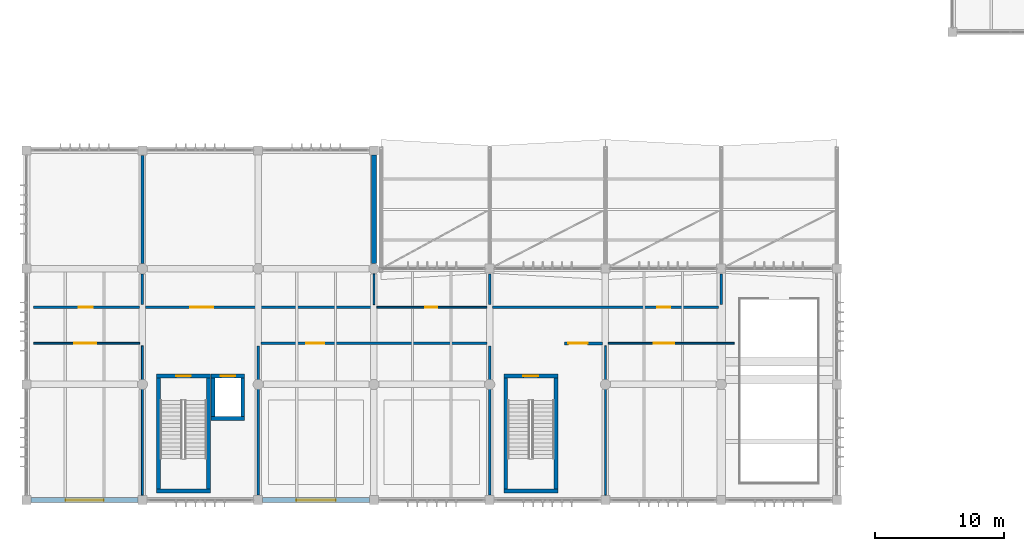
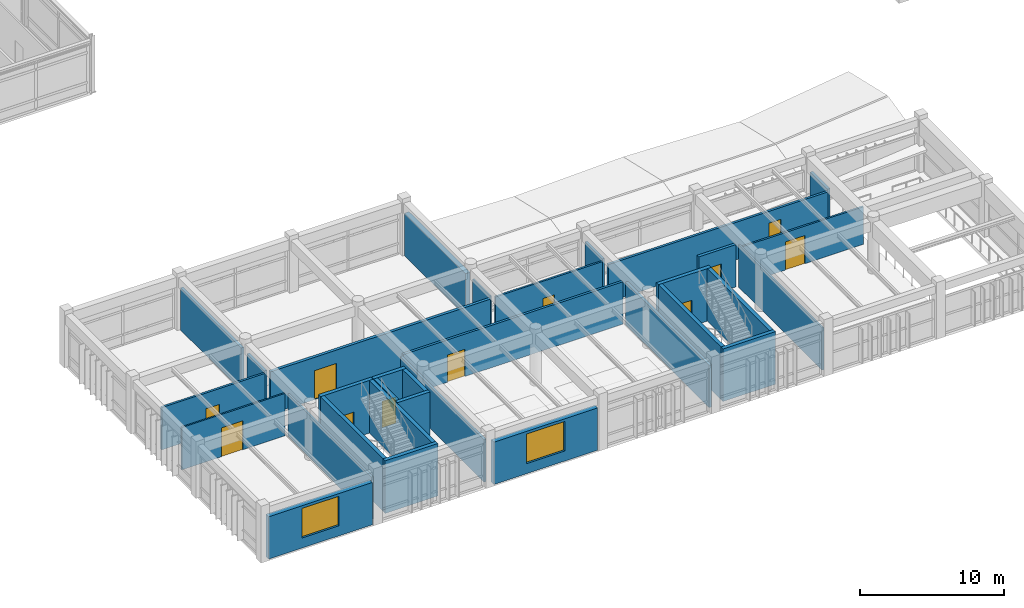
# One storey, part 70 of 90: 32 walls, 11 doors, 2 windows, 13 openings.
"""IFC4 building model written with IfcOpenShell, lengths in metres."""

from ifc_helpers import new_model, si_unit, direction, frame, frame_2d, origin, place, context, subcontext, project, spatial, rectangle, extrude, material, layer, layer_set, type_object, element, fill, save


model = new_model("IFC4")

# Units and contexts
model_context = context("Model", 3, precision=1e-05, world=origin(), true_north=direction((0.0, 1.0)))
body_context = subcontext(model_context, "Body", "Model", "MODEL_VIEW")
ifc_project = project(units=[si_unit("LENGTHUNIT", "METRE"), si_unit("AREAUNIT", "SQUARE_METRE"), si_unit("VOLUMEUNIT", "CUBIC_METRE"), si_unit("PLANEANGLEUNIT", "RADIAN"), si_unit("MASSUNIT", "GRAM", prefix="KILO")], contexts=[model_context])

# Site, building, storey
site_placement = place(None, origin())
site = spatial("IfcSite", under=ifc_project, at=site_placement, CompositionType="ELEMENT")
building_placement = place(site_placement, origin())
building = spatial("IfcBuilding", under=site, at=building_placement, Name="Bozkorgan Art Gallery", CompositionType="ELEMENT")
storey_placement = place(building_placement, frame((0.0, 0.0, 5.39990234375)))
storey = spatial("IfcBuildingStorey", under=building, at=storey_placement, Name="L01", CompositionType="ELEMENT", Elevation=5.39990234375)

# Wall, opening, door
ifc_material_1 = material(Name="Concrete C40/50", Category="concrete")
ifc_layer_1 = layer(ifc_material_1, 0.300048828125, Name="Concrete C40/50")
ifc_layer_set_1 = layer_set([ifc_layer_1], Name="Concrete C40/50")
wall_type_1 = type_object("IfcWallType", Name="IWALL-CW-44", PredefinedType="SHEAR", material=ifc_layer_set_1)
wall_1_placement = place(storey_placement, frame((12.10009765625, 11.64990234375, 0.0), z_axis=(0.0, 0.0, 1.0), x_axis=(1.0, 0.0, 0.0)))
wall_1 = element("IfcWall", 1, at=wall_1_placement, inside=storey, type_object=wall_type_1, Name="CORE1 L01 stair core north shear wall", PredefinedType="SHEAR", context=body_context, shape_type="SweptSolid", body=[
    extrude(rectangle(XDim=4.199951171875, YDim=0.300048828125, at=frame_2d((2.10009765625, 0.0))), origin(), (0.0, 0.0, 1.0), 4.440185546875),
])
opening_1_placement = place(wall_1_placement, frame((2.6748046875, 0.0, 0.0), z_axis=(0.0, 0.0, 1.0), x_axis=(-1.0, 0.0, 0.0)))
opening_1 = element("IfcOpeningElement", 2, at=opening_1_placement, cuts=wall_1, Name="Opening SD-41", PredefinedType="OPENING", context=body_context, shape_type="SweptSolid", body=[
    extrude(rectangle(XDim=1.14990234375, YDim=2.199951171875, at=frame_2d((0.574951171875, 1.10009765625))), frame((0.0, 0.16015625, 0.0), z_axis=(0.0, -1.0, 0.0), x_axis=(1.0, 0.0, 0.0)), (0.0, 0.0, 1.0), 0.320068359375),
])
ifc_material_2 = material(Name="Steel S355J2", Category="steel")
door_type_1 = type_object("IfcDoorType", Name="IDOOR-SD-41", OperationType="NOTDEFINED", PredefinedType="DOOR", material=ifc_material_2)
door_1_placement = place(opening_1_placement, origin())
door_1 = element("IfcDoor", 3, at=door_1_placement, inside=storey, type_object=door_type_1, Name="ST1 L01 Fire Stair Door", OperationType="SINGLE_SWING_RIGHT", OverallHeight=2.199951171875, OverallWidth=1.14990234375, PredefinedType="DOOR", context=body_context, shape_type="SweptSolid", body=[
    extrude(rectangle(XDim=1.14990234375, YDim=2.199951171875, at=frame_2d((0.574951171875, 1.10009765625))), frame((0.0, 0.02490234375, 0.0), z_axis=(0.0, -1.0, 0.0), x_axis=(1.0, 0.0, 0.0)), (0.0, 0.0, 1.0), 0.050048828125),
])
fill(opening_1, door_1)

# Walls
wall_2_placement = place(storey_placement, frame((12.10009765625, 2.699951171875, 0.0), z_axis=(0.0, 0.0, 1.0), x_axis=(1.0, 0.0, 0.0)))
element("IfcWall", 4, at=wall_2_placement, inside=storey, type_object=wall_type_1, Name="CORE1 L01 stair core S shear wall", PredefinedType="SHEAR", context=body_context, shape_type="SweptSolid", body=[
    extrude(rectangle(XDim=4.199951171875, YDim=0.300048828125, at=frame_2d((2.10009765625, 0.0))), origin(), (0.0, 0.0, 1.0), 4.440185546875),
])
for number, where, z_axis, x_axis, name in (
    (5, (12.25, 2.85009765625, 0.0), (0.0, 0.0, 1.0), (0.0, 1.0, 0.0), "CORE1 L01 stair core W shear wall"),
    (6, (16.14990234375, 2.85009765625, 0.0), (0.0, 0.0, 1.0), (0.0, 1.0, 0.0), "CORE1 L01 stair core E shear wall"),
):
    element("IfcWall", number, at=place(storey_placement, frame(where, z_axis=z_axis, x_axis=x_axis)), inside=storey, type_object=wall_type_1, Name=name, PredefinedType="SHEAR", context=body_context, shape_type="SweptSolid", body=[
        extrude(rectangle(XDim=8.64990234375, YDim=0.300048828125, at=frame_2d((4.324951171875, 0.0))), origin(), (0.0, 0.0, 1.0), 4.440185546875),
    ])

# Wall, opening, door
wall_3_placement = place(storey_placement, frame((16.35009765625, 11.64990234375, 0.0), z_axis=(0.0, 0.0, 1.0), x_axis=(1.0, 0.0, 0.0)))
wall_3 = element("IfcWall", 7, at=wall_3_placement, inside=storey, type_object=wall_type_1, Name="PL1 L01 shaft front shear wall", PredefinedType="SHEAR", context=body_context, shape_type="SweptSolid", body=[
    extrude(rectangle(XDim=2.599853515625, YDim=0.300048828125, at=frame_2d((1.2998046875, 0.0))), origin(), (0.0, 0.0, 1.0), 4.440185546875),
])
opening_2_placement = place(wall_3_placement, frame((0.75, 0.0, 0.0)))
opening_2 = element("IfcOpeningElement", 8, at=opening_2_placement, cuts=wall_3, Name="Opening LD-25", PredefinedType="OPENING", context=body_context, shape_type="SweptSolid", body=[
    extrude(rectangle(XDim=1.10009765625, YDim=2.199951171875, at=frame_2d((0.550048828125, 1.10009765625))), frame((0.0, 0.16015625, 0.0), z_axis=(0.0, -1.0, 0.0), x_axis=(1.0, 0.0, 0.0)), (0.0, 0.0, 1.0), 0.320068359375),
])
door_type_2 = type_object("IfcDoorType", Name="IDOOR-LD-25", OperationType="NOTDEFINED", PredefinedType="DOOR", material=ifc_material_2)
door_2_placement = place(opening_2_placement, origin())
door_2 = element("IfcDoor", 9, at=door_2_placement, inside=storey, type_object=door_type_2, Name="LD-PL1-L01 Lift Landing Door", OperationType="SLIDING_TO_LEFT", OverallHeight=2.199951171875, OverallWidth=1.10009765625, PredefinedType="DOOR", context=body_context, shape_type="SweptSolid", body=[
    extrude(rectangle(XDim=1.10009765625, YDim=2.199951171875, at=frame_2d((0.550048828125, 1.10009765625))), frame((0.0, 0.02490234375, 0.0), z_axis=(0.0, -1.0, 0.0), x_axis=(1.0, 0.0, 0.0)), (0.0, 0.0, 1.0), 0.050048828125),
])
fill(opening_2, door_2)

# Walls
wall_4_placement = place(storey_placement, frame((16.35009765625, 8.35009765625, 0.0), z_axis=(0.0, 0.0, 1.0), x_axis=(1.0, 0.0, 0.0)))
element("IfcWall", 10, at=wall_4_placement, inside=storey, type_object=wall_type_1, Name="PL1 L01 shaft S shear wall", PredefinedType="SHEAR", context=body_context, shape_type="SweptSolid", body=[
    extrude(rectangle(XDim=2.599853515625, YDim=0.300048828125, at=frame_2d((1.2998046875, 0.0))), origin(), (0.0, 0.0, 1.0), 4.440185546875),
])
for number, where, z_axis, x_axis, name in (
    (11, (18.800048828125, 8.5, 0.0), (0.0, 0.0, 1.0), (0.0, 1.0, 0.0), "PL1 L01 shaft E shear wall"),
    (12, (16.5, 8.5, 0.0), (0.0, 0.0, 1.0), (0.0, 1.0, 0.0), "PL1 L01 shaft W shear wall"),
):
    element("IfcWall", number, at=place(storey_placement, frame(where, z_axis=z_axis, x_axis=x_axis)), inside=storey, type_object=wall_type_1, Name=name, PredefinedType="SHEAR", context=body_context, shape_type="SweptSolid", body=[
        extrude(rectangle(XDim=3.0, YDim=0.300048828125, at=frame_2d((1.5, 0.0))), origin(), (0.0, 0.0, 1.0), 4.440185546875),
    ])

# Wall, opening, door
wall_5_placement = place(storey_placement, frame((39.10009765625, 11.64990234375, 0.0), z_axis=(0.0, 0.0, 1.0), x_axis=(1.0, 0.0, 0.0)))
wall_5 = element("IfcWall", 13, at=wall_5_placement, inside=storey, type_object=wall_type_1, Name="CORE7 L01 stair core north shear wall", PredefinedType="SHEAR", context=body_context, shape_type="SweptSolid", body=[
    extrude(rectangle(XDim=4.199951171875, YDim=0.300048828125, at=frame_2d((2.10009765625, 0.0))), origin(), (0.0, 0.0, 1.0), 4.440185546875),
])
opening_3_placement = place(wall_5_placement, frame((2.6748046875, 0.0, 0.0), z_axis=(0.0, 0.0, 1.0), x_axis=(-1.0, 0.0, 0.0)))
opening_3 = element("IfcOpeningElement", 14, at=opening_3_placement, cuts=wall_5, Name="Opening SD-41", PredefinedType="OPENING", context=body_context, shape_type="SweptSolid", body=[
    extrude(rectangle(XDim=1.14990234375, YDim=2.199951171875, at=frame_2d((0.574951171875, 1.10009765625))), frame((0.0, 0.16015625, 0.0), z_axis=(0.0, -1.0, 0.0), x_axis=(1.0, 0.0, 0.0)), (0.0, 0.0, 1.0), 0.320068359375),
])
door_3_placement = place(opening_3_placement, origin())
door_3 = element("IfcDoor", 15, at=door_3_placement, inside=storey, type_object=door_type_1, Name="ST12 L01 Fire Stair Door", OperationType="SINGLE_SWING_RIGHT", OverallHeight=2.199951171875, OverallWidth=1.14990234375, PredefinedType="DOOR", context=body_context, shape_type="SweptSolid", body=[
    extrude(rectangle(XDim=1.14990234375, YDim=2.199951171875, at=frame_2d((0.574951171875, 1.10009765625))), frame((0.0, 0.02490234375, 0.0), z_axis=(0.0, -1.0, 0.0), x_axis=(1.0, 0.0, 0.0)), (0.0, 0.0, 1.0), 0.050048828125),
])
fill(opening_3, door_3)

# Walls
wall_6_placement = place(storey_placement, frame((39.10009765625, 2.699951171875, 0.0), z_axis=(0.0, 0.0, 1.0), x_axis=(1.0, 0.0, 0.0)))
element("IfcWall", 16, at=wall_6_placement, inside=storey, type_object=wall_type_1, Name="CORE7 L01 stair core S shear wall", PredefinedType="SHEAR", context=body_context, shape_type="SweptSolid", body=[
    extrude(rectangle(XDim=4.199951171875, YDim=0.300048828125, at=frame_2d((2.10009765625, 0.0))), origin(), (0.0, 0.0, 1.0), 4.440185546875),
])
for number, where, z_axis, x_axis, name in (
    (17, (39.25, 2.85009765625, 0.0), (0.0, 0.0, 1.0), (0.0, 1.0, 0.0), "CORE7 L01 stair core W shear wall"),
    (18, (43.14990234375, 2.85009765625, 0.0), (0.0, 0.0, 1.0), (0.0, 1.0, 0.0), "CORE7 L01 stair core E shear wall"),
):
    element("IfcWall", number, at=place(storey_placement, frame(where, z_axis=z_axis, x_axis=x_axis)), inside=storey, type_object=wall_type_1, Name=name, PredefinedType="SHEAR", context=body_context, shape_type="SweptSolid", body=[
        extrude(rectangle(XDim=8.64990234375, YDim=0.300048828125, at=frame_2d((4.324951171875, 0.0))), origin(), (0.0, 0.0, 1.0), 4.440185546875),
    ])

# Wall, opening, door
ifc_material_3 = material(Name="Acoustic Gypsum & Mineral Wool Partition")
ifc_layer_2 = layer(ifc_material_3, 0.22998046875, Name="Acoustic Gypsum & Mineral Wool Partition")
ifc_layer_set_2 = layer_set([ifc_layer_2], Name="Acoustic Gypsum & Mineral Wool Partition")
wall_type_2 = type_object("IfcWallType", Name="IWALL-PR-08", PredefinedType="PARTITIONING", material=ifc_layer_set_2)
wall_7_placement = place(storey_placement, frame((43.820068359375, 14.199951171875, 0.0), z_axis=(0.0, 0.0, 1.0), x_axis=(1.0, 0.0, 0.0)))
wall_7 = element("IfcWall", 19, at=wall_7_placement, inside=storey, type_object=wall_type_2, Name="V1 L01 acoustic partition wall 41", PredefinedType="PARTITIONING", context=body_context, shape_type="SweptSolid", body=[
    extrude(rectangle(XDim=2.9599609375, YDim=0.22998046875, at=frame_2d((1.47998046875, 0.0))), origin(), (0.0, 0.0, 1.0), 3.5751953125),
])
opening_4_placement = place(wall_7_placement, frame((0.300048828125, 0.0, 0.0)))
opening_4 = element("IfcOpeningElement", 20, at=opening_4_placement, cuts=wall_7, Name="Opening GD-06", PredefinedType="OPENING", context=body_context, shape_type="SweptSolid", body=[
    extrude(rectangle(XDim=1.5, YDim=2.35009765625, at=frame_2d((0.75, 1.175048828125))), frame((0.0, 0.125, 0.0), z_axis=(0.0, -1.0, 0.0), x_axis=(1.0, 0.0, 0.0)), (0.0, 0.0, 1.0), 0.25),
])
ifc_material_4 = material(Name="Oiled European Oak Joinery")
door_type_3 = type_object("IfcDoorType", Name="IDOOR-GD-06", OperationType="NOTDEFINED", PredefinedType="DOOR", material=ifc_material_4)
door_4_placement = place(opening_4_placement, origin())
door_4 = element("IfcDoor", 21, at=door_4_placement, inside=storey, type_object=door_type_3, Name="Modernist Portrait Gallery Door", OperationType="DOUBLE_DOOR_SINGLE_SWING", OverallHeight=2.35009765625, OverallWidth=1.5, PredefinedType="DOOR", context=body_context, shape_type="SweptSolid", body=[
    extrude(rectangle(XDim=1.5, YDim=2.35009765625, at=frame_2d((0.75, 1.175048828125))), frame((0.0, 0.02490234375, 0.0), z_axis=(0.0, -1.0, 0.0), x_axis=(1.0, 0.0, 0.0)), (0.0, 0.0, 1.0), 0.050048828125),
])
fill(opening_4, door_4)

wall_8_placement = place(storey_placement, frame((11.219970703125, 17.0, 0.0), z_axis=(0.0, 0.0, 1.0), x_axis=(1.0, 0.0, 0.0)))
wall_8 = element("IfcWall", 22, at=wall_8_placement, inside=storey, type_object=wall_type_2, Name="V1 L01 acoustic partition wall 47", PredefinedType="PARTITIONING", context=body_context, shape_type="SweptSolid", body=[
    extrude(rectangle(XDim=17.56005859375, YDim=0.22998046875, at=frame_2d((8.780029296875, 0.0))), origin(), (0.0, 0.0, 1.0), 3.5751953125),
])
opening_5_placement = place(wall_8_placement, frame((5.2724609375, 0.0, 0.0), z_axis=(0.0, 0.0, 1.0), x_axis=(-1.0, 0.0, 0.0)))
opening_5 = element("IfcOpeningElement", 23, at=opening_5_placement, cuts=wall_8, Name="Opening GD-53", PredefinedType="OPENING", context=body_context, shape_type="SweptSolid", body=[
    extrude(rectangle(XDim=1.760009765625, YDim=2.449951171875, at=frame_2d((0.8798828125, 1.22509765625))), frame((0.0, 0.125, 0.0), z_axis=(0.0, -1.0, 0.0), x_axis=(1.0, 0.0, 0.0)), (0.0, 0.0, 1.0), 0.25),
])
door_type_4 = type_object("IfcDoorType", Name="IDOOR-GD-53", OperationType="NOTDEFINED", PredefinedType="DOOR", material=ifc_material_4)
door_5_placement = place(opening_5_placement, origin())
door_5 = element("IfcDoor", 24, at=door_5_placement, inside=storey, type_object=door_type_4, Name="Curatorial Study Gallery Door", OperationType="DOUBLE_DOOR_SINGLE_SWING", OverallHeight=2.449951171875, OverallWidth=1.760009765625, PredefinedType="DOOR", context=body_context, shape_type="SweptSolid", body=[
    extrude(rectangle(XDim=1.760009765625, YDim=2.449951171875, at=frame_2d((0.8798828125, 1.22509765625))), frame((0.0, 0.02490234375, 0.0), z_axis=(0.0, -1.0, 0.0), x_axis=(1.0, 0.0, 0.0)), (0.0, 0.0, 1.0), 0.050048828125),
])
fill(opening_5, door_5)

ifc_layer_3 = layer(ifc_material_3, 0.169921875, Name="Acoustic Gypsum & Mineral Wool Partition")
ifc_layer_set_3 = layer_set([ifc_layer_3], Name="Acoustic Gypsum & Mineral Wool Partition")
wall_type_3 = type_object("IfcWallType", Name="IWALL-PR-40", PredefinedType="PARTITIONING", material=ifc_layer_set_3)
wall_9_placement = place(storey_placement, frame((2.5400390625, 17.0, 0.0), z_axis=(0.0, 0.0, 1.0), x_axis=(1.0, 0.0, 0.0)))
wall_9 = element("IfcWall", 25, at=wall_9_placement, inside=storey, type_object=wall_type_3, Name="V1 L01 acoustic partition wall 44", PredefinedType="PARTITIONING", context=body_context, shape_type="SweptSolid", body=[
    extrude(rectangle(XDim=8.239990234375, YDim=0.169921875, at=frame_2d((4.1201171875, 0.0))), origin(), (0.0, 0.0, 1.0), 3.5751953125),
])
opening_6_placement = place(wall_9_placement, frame((4.599365234375, 0.0, 0.0), z_axis=(0.0, 0.0, 1.0), x_axis=(-1.0, 0.0, 0.0)))
opening_6 = element("IfcOpeningElement", 26, at=opening_6_placement, cuts=wall_9, Name="Opening FD-44", PredefinedType="OPENING", context=body_context, shape_type="SweptSolid", body=[
    extrude(rectangle(XDim=1.080078125, YDim=2.239990234375, at=frame_2d((0.5400390625, 1.1201171875))), frame((0.0, 0.094970703125, 0.0), z_axis=(0.0, -1.0, 0.0), x_axis=(1.0, 0.0, 0.0)), (0.0, 0.0, 1.0), 0.18994140625),
])
door_type_5 = type_object("IfcDoorType", Name="IDOOR-FD-44", OperationType="NOTDEFINED", PredefinedType="DOOR", material=ifc_material_4)
door_6_placement = place(opening_6_placement, origin())
door_6 = element("IfcDoor", 27, at=door_6_placement, inside=storey, type_object=door_type_5, Name="Curatorial Study Room Door", OperationType="SINGLE_SWING_LEFT", OverallHeight=2.239990234375, OverallWidth=1.080078125, PredefinedType="DOOR", context=body_context, shape_type="SweptSolid", body=[
    extrude(rectangle(XDim=1.080078125, YDim=2.239990234375, at=frame_2d((0.5400390625, 1.1201171875))), frame((0.0, 0.02490234375, 0.0), z_axis=(0.0, -1.0, 0.0), x_axis=(1.0, 0.0, 0.0)), (0.0, 0.0, 1.0), 0.050048828125),
])
fill(opening_6, door_6)

ifc_layer_4 = layer(ifc_material_3, 0.14990234375, Name="Acoustic Gypsum & Mineral Wool Partition")
ifc_layer_set_4 = layer_set([ifc_layer_4], Name="Acoustic Gypsum & Mineral Wool Partition")
wall_type_4 = type_object("IfcWallType", Name="IWALL-PR-55", PredefinedType="PARTITIONING", material=ifc_layer_set_4)
wall_10_placement = place(storey_placement, frame((47.219970703125, 14.199951171875, 0.0), z_axis=(0.0, 0.0, 1.0), x_axis=(1.0, 0.0, 0.0)))
wall_10 = element("IfcWall", 28, at=wall_10_placement, inside=storey, type_object=wall_type_4, Name="V1 L01 acoustic partition wall 43", PredefinedType="PARTITIONING", context=body_context, shape_type="SweptSolid", body=[
    extrude(rectangle(XDim=9.780029296875, YDim=0.14990234375, at=frame_2d((4.89013671875, 0.0))), origin(), (0.0, 0.0, 1.0), 3.175048828125),
])
opening_7_placement = place(wall_10_placement, frame((3.53369140625, 0.0, 0.0)))
opening_7 = element("IfcOpeningElement", 29, at=opening_7_placement, cuts=wall_10, Name="Opening GD-25", PredefinedType="OPENING", context=body_context, shape_type="SweptSolid", body=[
    extrude(rectangle(XDim=1.580078125, YDim=2.3798828125, at=frame_2d((0.7900390625, 1.18994140625))), frame((0.0, 0.0849609375, 0.0), z_axis=(0.0, -1.0, 0.0), x_axis=(1.0, 0.0, 0.0)), (0.0, 0.0, 1.0), 0.169921875),
])
door_type_6 = type_object("IfcDoorType", Name="IDOOR-GD-25", OperationType="NOTDEFINED", PredefinedType="DOOR", material=ifc_material_4)
door_7_placement = place(opening_7_placement, origin())
door_7 = element("IfcDoor", 30, at=door_7_placement, inside=storey, type_object=door_type_6, Name="Bronze Relief Gallery Door", OperationType="DOUBLE_DOOR_SINGLE_SWING", OverallHeight=2.3798828125, OverallWidth=1.580078125, PredefinedType="DOOR", context=body_context, shape_type="SweptSolid", body=[
    extrude(rectangle(XDim=1.580078125, YDim=2.3798828125, at=frame_2d((0.7900390625, 1.18994140625))), frame((0.0, 0.02490234375, 0.0), z_axis=(0.0, -1.0, 0.0), x_axis=(1.0, 0.0, 0.0)), (0.0, 0.0, 1.0), 0.050048828125),
])
fill(opening_7, door_7)

wall_11_placement = place(storey_placement, frame((29.219970703125, 17.0, 0.0), z_axis=(0.0, 0.0, 1.0), x_axis=(1.0, 0.0, 0.0)))
wall_11 = element("IfcWall", 31, at=wall_11_placement, inside=storey, type_object=wall_type_4, Name="V1 L01 acoustic partition wall 49", PredefinedType="PARTITIONING", context=body_context, shape_type="SweptSolid", body=[
    extrude(rectangle(XDim=8.56005859375, YDim=0.14990234375, at=frame_2d((4.280029296875, 0.0))), origin(), (0.0, 0.0, 1.0), 3.5751953125),
])
opening_8_placement = place(wall_11_placement, frame((4.699951171875, 0.0, 0.0), z_axis=(0.0, 0.0, 1.0), x_axis=(-1.0, 0.0, 0.0)))
opening_8 = element("IfcOpeningElement", 32, at=opening_8_placement, cuts=wall_11, Name="Opening FD-12", PredefinedType="OPENING", context=body_context, shape_type="SweptSolid", body=[
    extrude(rectangle(XDim=0.919921875, YDim=2.1201171875, at=frame_2d((0.4599609375, 1.06005859375))), frame((0.0, 0.0849609375, 0.0), z_axis=(0.0, -1.0, 0.0), x_axis=(1.0, 0.0, 0.0)), (0.0, 0.0, 1.0), 0.169921875),
])
door_type_7 = type_object("IfcDoorType", Name="IDOOR-FD-12", OperationType="NOTDEFINED", PredefinedType="DOOR", material=ifc_material_4)
door_8_placement = place(opening_8_placement, origin())
door_8 = element("IfcDoor", 33, at=door_8_placement, inside=storey, type_object=door_type_7, Name="Exhibition Catalogue Salon Door", OperationType="SINGLE_SWING_LEFT", OverallHeight=2.1201171875, OverallWidth=0.919921875, PredefinedType="DOOR", context=body_context, shape_type="SweptSolid", body=[
    extrude(rectangle(XDim=0.919921875, YDim=2.1201171875, at=frame_2d((0.4599609375, 1.06005859375))), frame((0.0, 0.02490234375, 0.0), z_axis=(0.0, -1.0, 0.0), x_axis=(1.0, 0.0, 0.0)), (0.0, 0.0, 1.0), 0.050048828125),
])
fill(opening_8, door_8)

ifc_layer_5 = layer(ifc_material_3, 0.18994140625, Name="Acoustic Gypsum & Mineral Wool Partition")
ifc_layer_set_5 = layer_set([ifc_layer_5], Name="Acoustic Gypsum & Mineral Wool Partition")
wall_type_5 = type_object("IfcWallType", Name="IWALL-PR-66", PredefinedType="PARTITIONING", material=ifc_layer_set_5)
wall_12_placement = place(storey_placement, frame((20.219970703125, 14.199951171875, 0.0), z_axis=(0.0, 0.0, 1.0), x_axis=(1.0, 0.0, 0.0)))
wall_12 = element("IfcWall", 34, at=wall_12_placement, inside=storey, type_object=wall_type_5, Name="V1 L01 acoustic partition wall 39", PredefinedType="PARTITIONING", context=body_context, shape_type="SweptSolid", body=[
    extrude(rectangle(XDim=17.56005859375, YDim=0.18994140625, at=frame_2d((8.780029296875, 0.0))), origin(), (0.0, 0.0, 1.0), 3.5751953125),
])
opening_9_placement = place(wall_12_placement, frame((3.512451171875, 0.0, 0.0)))
opening_9 = element("IfcOpeningElement", 35, at=opening_9_placement, cuts=wall_12, Name="Opening GD-50", PredefinedType="OPENING", context=body_context, shape_type="SweptSolid", body=[
    extrude(rectangle(XDim=1.419921875, YDim=2.300048828125, at=frame_2d((0.7099609375, 1.14990234375))), frame((0.0, 0.10498046875, 0.0), z_axis=(0.0, -1.0, 0.0), x_axis=(1.0, 0.0, 0.0)), (0.0, 0.0, 1.0), 0.2099609375),
])
door_type_8 = type_object("IfcDoorType", Name="IDOOR-GD-50", OperationType="NOTDEFINED", PredefinedType="DOOR", material=ifc_material_4)
door_9_placement = place(opening_9_placement, origin())
door_9 = element("IfcDoor", 36, at=door_9_placement, inside=storey, type_object=door_type_8, Name="Kazakh Steppe Art Gallery Door", OperationType="DOUBLE_DOOR_SINGLE_SWING", OverallHeight=2.300048828125, OverallWidth=1.419921875, PredefinedType="DOOR", context=body_context, shape_type="SweptSolid", body=[
    extrude(rectangle(XDim=1.419921875, YDim=2.300048828125, at=frame_2d((0.7099609375, 1.14990234375))), frame((0.0, 0.02490234375, 0.0), z_axis=(0.0, -1.0, 0.0), x_axis=(1.0, 0.0, 0.0)), (0.0, 0.0, 1.0), 0.050048828125),
])
fill(opening_9, door_9)

wall_13_placement = place(storey_placement, frame((38.219970703125, 17.0, 0.0), z_axis=(0.0, 0.0, 1.0), x_axis=(1.0, 0.0, 0.0)))
wall_13 = element("IfcWall", 37, at=wall_13_placement, inside=storey, type_object=wall_type_5, Name="V1 L01 acoustic partition wall 51", PredefinedType="PARTITIONING", context=body_context, shape_type="SweptSolid", body=[
    extrude(rectangle(XDim=17.56005859375, YDim=0.18994140625, at=frame_2d((8.780029296875, 0.0))), origin(), (0.0, 0.0, 1.0), 3.175048828125),
])
opening_10_placement = place(wall_13_placement, frame((13.8056640625, 0.0, 0.0), z_axis=(0.0, 0.0, 1.0), x_axis=(-1.0, 0.0, 0.0)))
opening_10 = element("IfcOpeningElement", 38, at=opening_10_placement, cuts=wall_13, Name="Opening FD-75", PredefinedType="OPENING", context=body_context, shape_type="SweptSolid", body=[
    extrude(rectangle(XDim=0.97998046875, YDim=2.179931640625, at=frame_2d((0.489990234375, 1.08984375))), frame((0.0, 0.10498046875, 0.0), z_axis=(0.0, -1.0, 0.0), x_axis=(1.0, 0.0, 0.0)), (0.0, 0.0, 1.0), 0.2099609375),
])
door_type_9 = type_object("IfcDoorType", Name="IDOOR-FD-75", OperationType="NOTDEFINED", PredefinedType="DOOR", material=ifc_material_4)
door_10_placement = place(opening_10_placement, origin())
door_10 = element("IfcDoor", 39, at=door_10_placement, inside=storey, type_object=door_type_9, Name="Visitor Cloakroom Door", OperationType="SINGLE_SWING_RIGHT", OverallHeight=2.179931640625, OverallWidth=0.97998046875, PredefinedType="DOOR", context=body_context, shape_type="SweptSolid", body=[
    extrude(rectangle(XDim=0.97998046875, YDim=2.179931640625, at=frame_2d((0.489990234375, 1.08984375))), frame((0.0, 0.02490234375, 0.0), z_axis=(0.0, -1.0, 0.0), x_axis=(1.0, 0.0, 0.0)), (0.0, 0.0, 1.0), 0.050048828125),
])
fill(opening_10, door_10)

ifc_layer_6 = layer(ifc_material_3, 0.1298828125, Name="Acoustic Gypsum & Mineral Wool Partition")
ifc_layer_set_6 = layer_set([ifc_layer_6], Name="Acoustic Gypsum & Mineral Wool Partition")
wall_type_6 = type_object("IfcWallType", Name="IWALL-PR-76", PredefinedType="PARTITIONING", material=ifc_layer_set_6)
wall_14_placement = place(storey_placement, frame((2.5400390625, 14.199951171875, 0.0), z_axis=(0.0, 0.0, 1.0), x_axis=(1.0, 0.0, 0.0)))
wall_14 = element("IfcWall", 40, at=wall_14_placement, inside=storey, type_object=wall_type_6, Name="V1 L01 acoustic partition wall 36", PredefinedType="PARTITIONING", context=body_context, shape_type="SweptSolid", body=[
    extrude(rectangle(XDim=8.239990234375, YDim=0.1298828125, at=frame_2d((4.1201171875, 0.0))), origin(), (0.0, 0.0, 1.0), 3.5751953125),
])
opening_11_placement = place(wall_14_placement, frame((3.165283203125, 0.0, 0.0)))
opening_11 = element("IfcOpeningElement", 41, at=opening_11_placement, cuts=wall_14, Name="Opening GD-55", PredefinedType="OPENING", context=body_context, shape_type="SweptSolid", body=[
    extrude(rectangle(XDim=1.699951171875, YDim=2.43994140625, at=frame_2d((0.85009765625, 1.219970703125))), frame((0.0, 0.074951171875, 0.0), z_axis=(0.0, -1.0, 0.0), x_axis=(1.0, 0.0, 0.0)), (0.0, 0.0, 1.0), 0.14990234375),
])
door_type_10 = type_object("IfcDoorType", Name="IDOOR-GD-55", OperationType="NOTDEFINED", PredefinedType="DOOR", material=ifc_material_4)
door_11_placement = place(opening_11_placement, origin())
door_11 = element("IfcDoor", 42, at=door_11_placement, inside=storey, type_object=door_type_10, Name="Permanent Painting Gallery Door", OperationType="DOUBLE_DOOR_SINGLE_SWING", OverallHeight=2.43994140625, OverallWidth=1.699951171875, PredefinedType="DOOR", context=body_context, shape_type="SweptSolid", body=[
    extrude(rectangle(XDim=1.699951171875, YDim=2.43994140625, at=frame_2d((0.85009765625, 1.219970703125))), frame((0.0, 0.02490234375, 0.0), z_axis=(0.0, -1.0, 0.0), x_axis=(1.0, 0.0, 0.0)), (0.0, 0.0, 1.0), 0.050048828125),
])
fill(opening_11, door_11)

# Walls
ifc_layer_7 = layer(ifc_material_3, 0.169921875, Name="Acoustic Gypsum & Mineral Wool Partition")
ifc_layer_set_7 = layer_set([ifc_layer_7], Name="Acoustic Gypsum & Mineral Wool Partition")
wall_type_7 = type_object("IfcWallType", Name="IWALL-PW-02", PredefinedType="PARTITIONING", material=ifc_layer_set_7)
wall_15_placement = place(storey_placement, frame((20.0, 2.39990234375, 0.0), z_axis=(0.0, 0.0, 1.0), x_axis=(0.0, 1.0, 0.0)))
element("IfcWall", 43, at=wall_15_placement, inside=storey, type_object=wall_type_7, Name="V1 L01 acoustic partition wall 38", PredefinedType="PARTITIONING", context=body_context, shape_type="SweptSolid", body=[
    extrude(rectangle(XDim=11.60009765625, YDim=0.169921875, at=frame_2d((5.800048828125, 0.0))), origin(), (0.0, 0.0, 1.0), 3.5751953125),
])
wall_16_placement = place(storey_placement, frame((38.0, 17.199951171875, 0.0), z_axis=(0.0, 0.0, 1.0), x_axis=(0.0, 1.0, 0.0)))
element("IfcWall", 44, at=wall_16_placement, inside=storey, type_object=wall_type_7, Name="V1 L01 acoustic partition wall 50", PredefinedType="PARTITIONING", context=body_context, shape_type="SweptSolid", body=[
    extrude(rectangle(XDim=2.400146484375, YDim=0.169921875, at=frame_2d((1.2001953125, 0.0))), origin(), (0.0, 0.0, 1.0), 3.5751953125),
])
ifc_layer_8 = layer(ifc_material_3, 0.14990234375, Name="Acoustic Gypsum & Mineral Wool Partition")
ifc_layer_set_8 = layer_set([ifc_layer_8], Name="Acoustic Gypsum & Mineral Wool Partition")
wall_type_8 = type_object("IfcWallType", Name="IWALL-PW-17", PredefinedType="PARTITIONING", material=ifc_layer_set_8)
wall_17_placement = place(storey_placement, frame((11.0, 2.39990234375, 0.0), z_axis=(0.0, 0.0, 1.0), x_axis=(0.0, 1.0, 0.0)))
element("IfcWall", 45, at=wall_17_placement, inside=storey, type_object=wall_type_8, Name="V1 L01 acoustic partition wall 37", PredefinedType="PARTITIONING", context=body_context, shape_type="SweptSolid", body=[
    extrude(rectangle(XDim=11.60009765625, YDim=0.14990234375, at=frame_2d((5.800048828125, 0.0))), origin(), (0.0, 0.0, 1.0), 3.5751953125),
])
ifc_layer_9 = layer(ifc_material_3, 0.18994140625, Name="Acoustic Gypsum & Mineral Wool Partition")
ifc_layer_set_9 = layer_set([ifc_layer_9], Name="Acoustic Gypsum & Mineral Wool Partition")
wall_type_9 = type_object("IfcWallType", Name="IWALL-PW-23", PredefinedType="PARTITIONING", material=ifc_layer_set_9)
wall_18_placement = place(storey_placement, frame((11.0, 17.199951171875, 0.0), z_axis=(0.0, 0.0, 1.0), x_axis=(0.0, 1.0, 0.0)))
element("IfcWall", 46, at=wall_18_placement, inside=storey, type_object=wall_type_9, Name="V1 L01 acoustic partition wall 45", PredefinedType="PARTITIONING", context=body_context, shape_type="SweptSolid", body=[
    extrude(rectangle(XDim=2.400146484375, YDim=0.18994140625, at=frame_2d((1.2001953125, 0.0))), origin(), (0.0, 0.0, 1.0), 3.5751953125),
])
ifc_layer_10 = layer(ifc_material_3, 0.2099609375, Name="Acoustic Gypsum & Mineral Wool Partition")
ifc_layer_set_10 = layer_set([ifc_layer_10], Name="Acoustic Gypsum & Mineral Wool Partition")
wall_type_10 = type_object("IfcWallType", Name="IWALL-PW-72", PredefinedType="PARTITIONING", material=ifc_layer_set_10)
wall_19_placement = place(storey_placement, frame((38.0, 2.39990234375, 0.0), z_axis=(0.0, 0.0, 1.0), x_axis=(0.0, 1.0, 0.0)))
element("IfcWall", 47, at=wall_19_placement, inside=storey, type_object=wall_type_10, Name="V1 L01 acoustic partition wall 40", PredefinedType="PARTITIONING", context=body_context, shape_type="SweptSolid", body=[
    extrude(rectangle(XDim=11.60009765625, YDim=0.2099609375, at=frame_2d((5.800048828125, 0.0))), origin(), (0.0, 0.0, 1.0), 3.5751953125),
])
wall_20_placement = place(storey_placement, frame((11.0, 20.39990234375, 0.0), z_axis=(0.0, 0.0, 1.0), x_axis=(0.0, 1.0, 0.0)))
element("IfcWall", 48, at=wall_20_placement, inside=storey, type_object=wall_type_10, Name="V1 L01 acoustic partition wall 46", PredefinedType="PARTITIONING", context=body_context, shape_type="SweptSolid", body=[
    extrude(rectangle(XDim=8.400146484375, YDim=0.2099609375, at=frame_2d((4.2001953125, 0.0))), origin(), (0.0, 0.0, 1.0), 3.5751953125),
])
wall_21_placement = place(storey_placement, frame((56.0, 17.199951171875, 0.0), z_axis=(0.0, 0.0, 1.0), x_axis=(0.0, 1.0, 0.0)))
element("IfcWall", 49, at=wall_21_placement, inside=storey, type_object=wall_type_10, Name="V1 L01 acoustic partition wall 52", PredefinedType="PARTITIONING", context=body_context, shape_type="SweptSolid", body=[
    extrude(rectangle(XDim=2.400146484375, YDim=0.2099609375, at=frame_2d((1.2001953125, 0.0))), origin(), (0.0, 0.0, 1.0), 3.175048828125),
])
ifc_layer_11 = layer(ifc_material_3, 0.1298828125, Name="Acoustic Gypsum & Mineral Wool Partition")
ifc_layer_set_11 = layer_set([ifc_layer_11], Name="Acoustic Gypsum & Mineral Wool Partition")
wall_type_11 = type_object("IfcWallType", Name="IWALL-PW-97", PredefinedType="PARTITIONING", material=ifc_layer_set_11)
wall_22_placement = place(storey_placement, frame((47.0, 2.39990234375, 0.0), z_axis=(0.0, 0.0, 1.0), x_axis=(0.0, 1.0, 0.0)))
element("IfcWall", 50, at=wall_22_placement, inside=storey, type_object=wall_type_11, Name="V1 L01 acoustic partition wall 42", PredefinedType="PARTITIONING", context=body_context, shape_type="SweptSolid", body=[
    extrude(rectangle(XDim=11.60009765625, YDim=0.1298828125, at=frame_2d((5.800048828125, 0.0))), origin(), (0.0, 0.0, 1.0), 3.5751953125),
])
wall_23_placement = place(storey_placement, frame((29.0, 17.199951171875, 0.0), z_axis=(0.0, 0.0, 1.0), x_axis=(0.0, 1.0, 0.0)))
element("IfcWall", 51, at=wall_23_placement, inside=storey, type_object=wall_type_11, Name="V1 L01 acoustic partition wall 48", PredefinedType="PARTITIONING", context=body_context, shape_type="SweptSolid", body=[
    extrude(rectangle(XDim=2.400146484375, YDim=0.1298828125, at=frame_2d((1.2001953125, 0.0))), origin(), (0.0, 0.0, 1.0), 3.5751953125),
])

# Wall, opening, window
ifc_material_5 = material(Name="Pressed Terracotta Brick Masonry", Category="masonry")
ifc_layer_12 = layer(ifc_material_5, 0.3798828125, Name="Pressed Terracotta Brick Masonry")
ifc_layer_set_12 = layer_set([ifc_layer_12], Name="Pressed Terracotta Brick Masonry")
wall_type_12 = type_object("IfcWallType", Name="WALL-WB-15", PredefinedType="STANDARD", material=ifc_layer_set_12)
wall_24_placement = place(storey_placement, frame((2.35009765625, 2.0, 0.0), z_axis=(0.0, 0.0, 1.0), x_axis=(1.0, 0.0, 0.0)))
wall_24 = element("IfcWall", 52, at=wall_24_placement, inside=storey, type_object=wall_type_12, Name="V1 L01 exterior facade wall 1S-1", PredefinedType="STANDARD", context=body_context, shape_type="SweptSolid", body=[
    extrude(rectangle(XDim=8.2998046875, YDim=0.3798828125, at=frame_2d((4.14990234375, 0.0))), origin(), (0.0, 0.0, 1.0), 3.5751953125),
])
opening_12_placement = place(wall_24_placement, frame((5.625, 0.0, 0.85009765625), z_axis=(0.0, 0.0, 1.0), x_axis=(-1.0, 0.0, 0.0)))
opening_12 = element("IfcOpeningElement", 53, at=opening_12_placement, cuts=wall_24, Name="Opening WN-40", PredefinedType="OPENING", context=body_context, shape_type="SweptSolid", body=[
    extrude(rectangle(XDim=2.949951171875, YDim=2.5, at=frame_2d((1.47509765625, 1.25))), frame((0.0, 0.199951171875, 0.0), z_axis=(0.0, -1.0, 0.0), x_axis=(1.0, 0.0, 0.0)), (0.0, 0.0, 1.0), 0.39990234375),
])
ifc_material_6 = material(Name="Triple Low-E Laminated Glass", Category="glass")
window_type_1 = type_object("IfcWindowType", Name="WIN-WN-40", PartitioningType="SINGLE_PANEL", PredefinedType="WINDOW", material=ifc_material_6)
window_1_placement = place(opening_12_placement, origin())
window_1 = element("IfcWindow", 54, at=window_1_placement, inside=storey, type_object=window_type_1, Name="V1 L01 gallery window 1S-1", OverallHeight=2.5, OverallWidth=2.949951171875, PartitioningType="SINGLE_PANEL", PredefinedType="WINDOW", context=body_context, shape_type="SweptSolid", body=[
    extrude(rectangle(XDim=2.949951171875, YDim=2.5, at=frame_2d((1.47509765625, 1.25))), frame((0.0, 0.030029296875, 0.0), z_axis=(0.0, -1.0, 0.0), x_axis=(1.0, 0.0, 0.0)), (0.0, 0.0, 1.0), 0.06005859375),
])
fill(opening_12, window_1)

wall_25_placement = place(storey_placement, frame((20.35009765625, 2.0, 0.0), z_axis=(0.0, 0.0, 1.0), x_axis=(1.0, 0.0, 0.0)))
wall_25 = element("IfcWall", 55, at=wall_25_placement, inside=storey, type_object=wall_type_12, Name="V1 L01 exterior facade wall 1S-3", PredefinedType="STANDARD", context=body_context, shape_type="SweptSolid", body=[
    extrude(rectangle(XDim=8.2998046875, YDim=0.3798828125, at=frame_2d((4.14990234375, 0.0))), origin(), (0.0, 0.0, 1.0), 3.5751953125),
])
opening_13_placement = place(wall_25_placement, frame((5.675048828125, 0.0, 0.85009765625), z_axis=(0.0, 0.0, 1.0), x_axis=(-1.0, 0.0, 0.0)))
opening_13 = element("IfcOpeningElement", 56, at=opening_13_placement, cuts=wall_25, Name="Opening WN-16", PredefinedType="OPENING", context=body_context, shape_type="SweptSolid", body=[
    extrude(rectangle(XDim=3.050048828125, YDim=2.5, at=frame_2d((1.52490234375, 1.25))), frame((0.0, 0.199951171875, 0.0), z_axis=(0.0, -1.0, 0.0), x_axis=(1.0, 0.0, 0.0)), (0.0, 0.0, 1.0), 0.39990234375),
])
window_type_2 = type_object("IfcWindowType", Name="WIN-WN-16", PartitioningType="SINGLE_PANEL", PredefinedType="WINDOW", material=ifc_material_6)
window_2_placement = place(opening_13_placement, origin())
window_2 = element("IfcWindow", 57, at=window_2_placement, inside=storey, type_object=window_type_2, Name="V1 L01 gallery window 1S-3", OverallHeight=2.5, OverallWidth=3.050048828125, PartitioningType="SINGLE_PANEL", PredefinedType="WINDOW", context=body_context, shape_type="SweptSolid", body=[
    extrude(rectangle(XDim=3.050048828125, YDim=2.5, at=frame_2d((1.52490234375, 1.25))), frame((0.0, 0.030029296875, 0.0), z_axis=(0.0, -1.0, 0.0), x_axis=(1.0, 0.0, 0.0)), (0.0, 0.0, 1.0), 0.06005859375),
])
fill(opening_13, window_2)

# Wall
wall_26_placement = place(storey_placement, frame((29.0, 20.39990234375, 0.0), z_axis=(0.0, 0.0, 1.0), x_axis=(0.0, 1.0, 0.0)))
element("IfcWall", 58, at=wall_26_placement, inside=storey, type_object=wall_type_12, Name="V1 L01 exterior facade wall 2E-5", PredefinedType="STANDARD", context=body_context, shape_type="SweptSolid", body=[
    extrude(rectangle(XDim=8.4501953125, YDim=0.3798828125, at=frame_2d((4.22509765625, 0.0))), origin(), (0.0, 0.0, 1.0), 3.5751953125),
])

save(model, "model.ifc")
